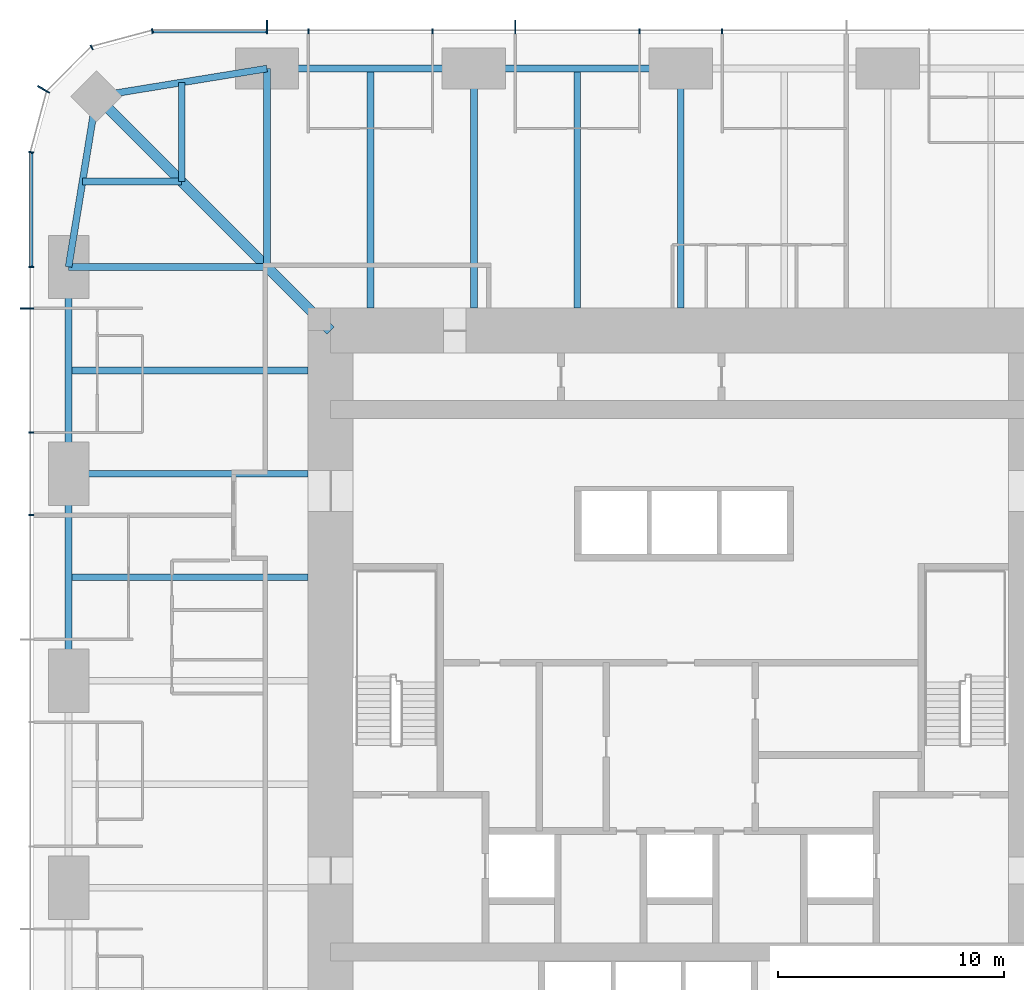
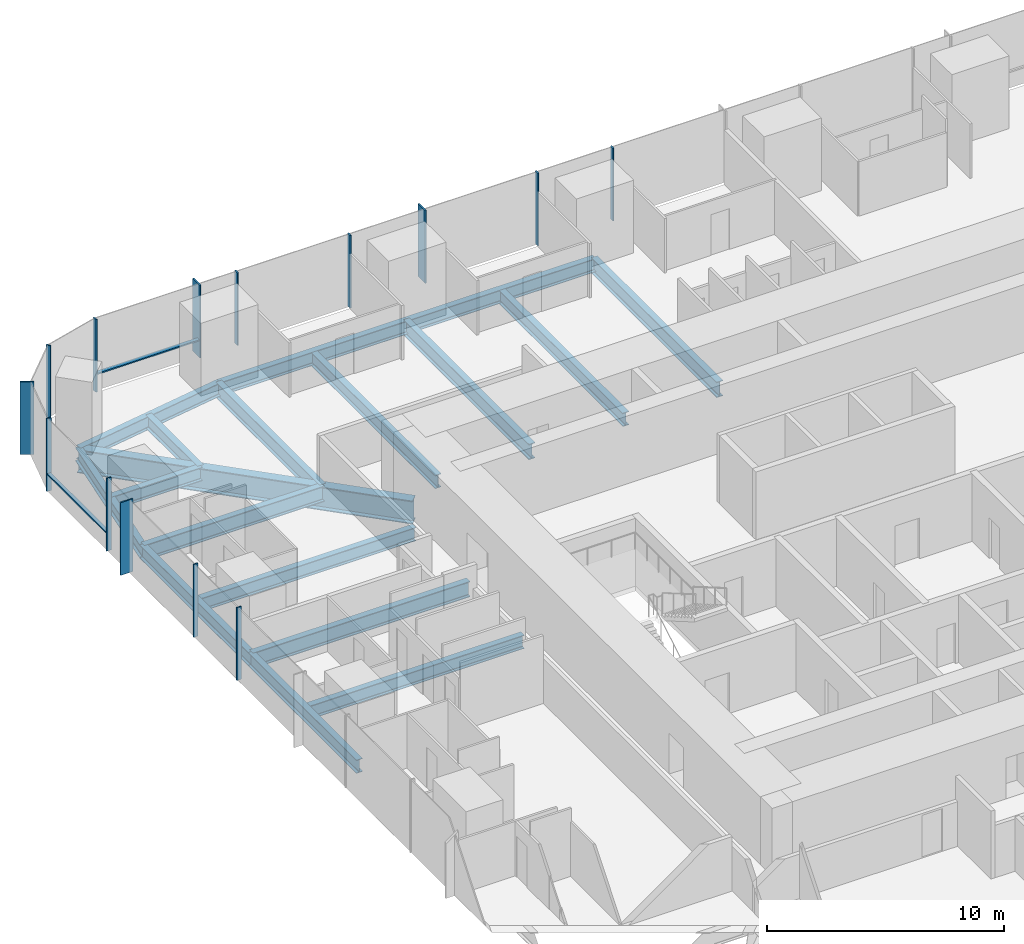
# One storey, part 5 of 13: 18 beams, 16 members, 3 elements without a shape of their own.
"""IFC4 building model written with IfcOpenShell, lengths in metres."""

from ifc_helpers import new_model, si_unit, direction, frame, origin, origin_2d, place, context, subcontext, project, spatial, rectangle, i_section, extrude, material, material_profile, profile_set, type_object, element, aggregate, save


model = new_model("IFC4")

# Units and contexts
model_context = context("Model", 3, precision=1e-05, world=origin(), true_north=direction((0.0, 1.0)))
body_context = subcontext(model_context, "Body", "Model", "MODEL_VIEW")
ifc_project = project(units=[si_unit("LENGTHUNIT", "METRE"), si_unit("AREAUNIT", "SQUARE_METRE"), si_unit("VOLUMEUNIT", "CUBIC_METRE"), si_unit("PLANEANGLEUNIT", "RADIAN"), si_unit("MASSUNIT", "GRAM", prefix="KILO")], contexts=[model_context])

# Site, building, storey
site_placement = place(None, origin())
site = spatial("IfcSite", under=ifc_project, at=site_placement, CompositionType="ELEMENT")
building_placement = place(site_placement, origin())
building = spatial("IfcBuilding", under=site, at=building_placement, Name="Khuree Lantern Residences", CompositionType="ELEMENT")
storey_placement = place(building_placement, frame((0.0, 0.0, 144.75)))
storey = spatial("IfcBuildingStorey", under=building, at=storey_placement, Name="L36", CompositionType="ELEMENT", Elevation=144.75)

# Beams
ifc_material_1 = material(Name="Steel S355", Category="steel")
ifc_material_profile_1 = material_profile(ifc_material_1, i_section(OverallWidth=0.300048828125, OverallDepth=0.68994140625, WebThickness=0.014404296875, FlangeThickness=0.027099609375, FilletRadius=0.027099609375, at=origin_2d()), Name="HE 700 A")
ifc_profile_set_1 = profile_set([ifc_material_profile_1], Name="Steel S355")
beam_type_1 = type_object("IfcBeamType", Name="B-23 SECONDARY BEAM HE 700 A", PredefinedType="BEAM", material=ifc_profile_set_1)
for number, where, z_axis, x_axis, name in (
    (1, (-13.739990234375, 27.10009765625, -0.594970703125), (0.0, -1.0, 0.0), (1.0, 0.0, 0.0), "Secondary beam N1"),
    (2, (-4.580078125, 27.10009765625, -0.594970703125), (0.0, -1.0, 0.0), (1.0, 0.0, 0.0), "Secondary beam N2"),
    (3, (-27.10009765625, 4.580078125, -0.594970703125), (1.0, 0.0, 0.0), (0.0, 1.0, 0.0), "Secondary beam W4"),
    (4, (-27.10009765625, 13.739990234375, -0.594970703125), (1.0, 0.0, 0.0), (0.0, 1.0, 0.0), "Secondary beam W5"),
):
    element("IfcBeam", number, at=place(storey_placement, frame(where, z_axis=z_axis, x_axis=x_axis)), inside=storey, type_object=beam_type_1, Name=name, PredefinedType="BEAM", context=body_context, shape_type="SweptSolid", body=[
        extrude(i_section(OverallWidth=0.300048828125, OverallDepth=0.68994140625, WebThickness=0.014404296875, FlangeThickness=0.027099609375, FilletRadius=0.027099609375, at=origin_2d()), origin(), (0.0, 0.0, 1.0), 10.60009765625),
    ])
for number, where, z_axis, x_axis, name in (
    (5, (-26.48486328125, 22.094970703125, -0.594970703125), (1.0, 0.0, 0.0), (0.0, 1.0, 0.0), "Secondary beam W6"),
    (6, (-22.094970703125, 26.48486328125, -0.594970703125), (0.0, -1.0, 0.0), (1.0, 0.0, 0.0), "Secondary beam N6"),
):
    element("IfcBeam", number, at=place(storey_placement, frame(where, z_axis=z_axis, x_axis=x_axis)), inside=storey, type_object=beam_type_1, Name=name, PredefinedType="BEAM", context=body_context, shape_type="SweptSolid", body=[
        extrude(i_section(OverallWidth=0.300048828125, OverallDepth=0.68994140625, WebThickness=0.014404296875, FlangeThickness=0.027099609375, FilletRadius=0.027099609375, at=origin_2d()), origin(), (0.0, 0.0, 1.0), 4.389892578125),
    ])
ifc_material_profile_2 = material_profile(ifc_material_1, i_section(OverallWidth=0.300048828125, OverallDepth=0.68994140625, WebThickness=0.014404296875, FlangeThickness=0.027099609375, FilletRadius=0.027099609375, at=origin_2d()), Name="HE 700 A")
ifc_profile_set_2 = profile_set([ifc_material_profile_2], Name="Steel S355")
beam_type_2 = type_object("IfcBeamType", Name="E-23 SPANDREL BEAM HE 700 A", PredefinedType="SPANDREL", material=ifc_profile_set_2)
beam_1_placement = place(storey_placement, frame((-18.320068359375, 27.10009765625, -0.594970703125), z_axis=(1.0, 0.0, 0.0), x_axis=(0.0, 1.0, 0.0)))
element("IfcBeam", 7, at=beam_1_placement, inside=storey, type_object=beam_type_2, Name="Spandrel beam N1", PredefinedType="SPANDREL", context=body_context, shape_type="SweptSolid", body=[
    extrude(i_section(OverallWidth=0.300048828125, OverallDepth=0.68994140625, WebThickness=0.014404296875, FlangeThickness=0.027099609375, FilletRadius=0.027099609375, at=origin_2d()), origin(), (0.0, 0.0, 1.0), 9.16015625),
])
for number, where, z_axis, x_axis, name in (
    (8, (-9.159912109375, 27.10009765625, -0.594970703125), (1.0, 0.0, 0.0), (0.0, 1.0, 0.0), "Spandrel beam N2"),
    (9, (-27.10009765625, 0.0, -0.594970703125), (0.0, 1.0, 0.0), (-1.0, 0.0, 0.0), "Spandrel beam W4"),
):
    element("IfcBeam", number, at=place(storey_placement, frame(where, z_axis=z_axis, x_axis=x_axis)), inside=storey, type_object=beam_type_2, Name=name, PredefinedType="SPANDREL", context=body_context, shape_type="SweptSolid", body=[
        extrude(i_section(OverallWidth=0.300048828125, OverallDepth=0.68994140625, WebThickness=0.014404296875, FlangeThickness=0.027099609375, FilletRadius=0.027099609375, at=origin_2d()), origin(), (0.0, 0.0, 1.0), 9.159912109375),
    ])
beam_2_placement = place(storey_placement, frame((-27.10009765625, 9.159912109375, -0.594970703125), z_axis=(0.0, 1.0, 0.0), x_axis=(-1.0, 0.0, 0.0)))
element("IfcBeam", 10, at=beam_2_placement, inside=storey, type_object=beam_type_2, Name="Spandrel beam W5", PredefinedType="SPANDREL", context=body_context, shape_type="SweptSolid", body=[
    extrude(i_section(OverallWidth=0.300048828125, OverallDepth=0.68994140625, WebThickness=0.014404296875, FlangeThickness=0.027099609375, FilletRadius=0.027099609375, at=origin_2d()), origin(), (0.0, 0.0, 1.0), 9.16015625),
])
for number, where, z_axis, x_axis, name in (
    (11, (-27.10009765625, 18.320068359375, -0.594970703125), (0.160826723833, 0.986982656839, 0.0), (-0.986982656839, 0.160826723833, 0.0), "Spandrel beam W6"),
    (12, (-25.869873046875, 25.869873046875, -0.594970703125), (0.986982656839, 0.160826723833, 0.0), (-0.160826723833, 0.986982656839, 0.0), "Spandrel beam N6"),
):
    element("IfcBeam", number, at=place(storey_placement, frame(where, z_axis=z_axis, x_axis=x_axis)), inside=storey, type_object=beam_type_2, Name=name, PredefinedType="SPANDREL", context=body_context, shape_type="SweptSolid", body=[
        extrude(i_section(OverallWidth=0.300048828125, OverallDepth=0.68994140625, WebThickness=0.014404296875, FlangeThickness=0.027099609375, FilletRadius=0.027099609375, at=origin_2d()), origin(), (0.0, 0.0, 1.0), 7.6494140625),
    ])

# Curtain wall, members
ifc_material_2 = material(Name="Bronze anodised aluminium", Category="aluminium")
curtain_wall_type_1 = type_object("IfcCurtainWallType", Name="CW-T1 TOWER FACE CURTAIN WALL", PredefinedType="USERDEFINED", material=ifc_material_2)
curtain_wall_1_placement = place(storey_placement, origin())
curtain_wall_1 = element("IfcCurtainWall", 13, at=curtain_wall_1_placement, inside=storey, type_object=curtain_wall_type_1, Name="L36 NORTH FACE CURTAIN WALL", ObjectType="Stick-built curtain wall", PredefinedType="USERDEFINED")
ifc_material_profile_3 = material_profile(ifc_material_2, rectangle(XDim=0.06494140625, YDim=0.60009765625, at=origin_2d()), Name="F1 65X600")
ifc_profile_set_3 = profile_set([ifc_material_profile_3], Name="Bronze anodised aluminium")
member_type_1 = type_object("IfcMemberType", Name="F1 BRONZE FIN MULLION TOWER 65X600", PredefinedType="MULLION", material=ifc_profile_set_3)
member_1_placement = place(storey_placement, frame((-7.327880859375, 28.949951171875, 0.0), z_axis=(0.0, 0.0, 1.0), x_axis=(-1.0, 0.0, 0.0)))
member_1 = element("IfcMember", 14, at=member_1_placement, type_object=member_type_1, Name="L36 NORTH FACE FIN MULLION 25", PredefinedType="MULLION", context=body_context, shape_type="SweptSolid", body=[
    extrude(rectangle(XDim=0.06494140625, YDim=0.60009765625, at=origin_2d()), origin(), (0.0, 0.0, 1.0), 3.75),
])
member_2_placement = place(storey_placement, frame((-18.320068359375, 28.949951171875, 0.0), z_axis=(0.0, 0.0, 1.0), x_axis=(-1.0, 0.0, 0.0)))
member_2 = element("IfcMember", 15, at=member_2_placement, type_object=member_type_1, Name="L36 NORTH FACE FIN MULLION 28", PredefinedType="MULLION", context=body_context, shape_type="SweptSolid", body=[
    extrude(rectangle(XDim=0.06494140625, YDim=0.60009765625, at=origin_2d()), origin(), (0.0, 0.0, 1.0), 3.75),
])

# Curtain wall, member
curtain_wall_type_2 = type_object("IfcCurtainWallType", Name="CW-T2 TOWER CORNER CURTAIN WALL", PredefinedType="USERDEFINED", material=ifc_material_2)
curtain_wall_2_placement = place(storey_placement, origin())
curtain_wall_2 = element("IfcCurtainWall", 16, at=curtain_wall_2_placement, inside=storey, type_object=curtain_wall_type_2, Name="L36 NORTH-WEST CORNER CURTAIN WALL", ObjectType="Faceted corner curtain wall", PredefinedType="USERDEFINED")
member_3_placement = place(storey_placement, frame((-28.20654296875, 26.175048828125, 0.0), z_axis=(0.0, 0.0, 1.0), x_axis=(-0.500000026995, -0.866025388199, 0.0)))
member_3 = element("IfcMember", 17, at=member_3_placement, type_object=member_type_1, Name="L36 NORTH-WEST CORNER FIN MULLION 31", PredefinedType="MULLION", context=body_context, shape_type="SweptSolid", body=[
    extrude(rectangle(XDim=0.06494140625, YDim=0.60009765625, at=origin_2d()), origin(), (0.0, 0.0, 1.0), 3.75),
])

curtain_wall_3_placement = place(storey_placement, origin())
curtain_wall_3 = element("IfcCurtainWall", 18, at=curtain_wall_3_placement, inside=storey, type_object=curtain_wall_type_1, Name="L36 WEST FACE CURTAIN WALL", ObjectType="Stick-built curtain wall", PredefinedType="USERDEFINED")
member_4_placement = place(storey_placement, frame((-28.949951171875, 16.488037109375, 0.0), z_axis=(0.0, 0.0, 1.0), x_axis=(0.0, -1.0, 0.0)))
member_4 = element("IfcMember", 19, at=member_4_placement, type_object=member_type_1, Name="L36 WEST FACE FIN MULLION 34", PredefinedType="MULLION", context=body_context, shape_type="SweptSolid", body=[
    extrude(rectangle(XDim=0.06494140625, YDim=0.60009765625, at=origin_2d()), origin(), (0.0, 0.0, 1.0), 3.75),
])

# Beams
ifc_material_profile_4 = material_profile(ifc_material_1, i_section(OverallWidth=0.300048828125, OverallDepth=0.800048828125, WebThickness=0.017578125, FlangeThickness=0.032958984375, FilletRadius=0.030029296875, at=origin_2d()), Name="HE 800 B")
ifc_profile_set_4 = profile_set([ifc_material_profile_4], Name="Steel S355")
beam_type_3 = type_object("IfcBeamType", Name="G-23 GIRDER HE 800 B", PredefinedType="BEAM", material=ifc_profile_set_4)
beam_3_placement = place(storey_placement, frame((-18.320068359375, 27.10009765625, -0.64990234375), z_axis=(0.0, -1.0, 0.0), x_axis=(1.0, 0.0, 0.0)))
element("IfcBeam", 20, at=beam_3_placement, inside=storey, type_object=beam_type_3, Name="Girder N1", PredefinedType="BEAM", context=body_context, shape_type="SweptSolid", body=[
    extrude(i_section(OverallWidth=0.300048828125, OverallDepth=0.800048828125, WebThickness=0.017578125, FlangeThickness=0.032958984375, FilletRadius=0.030029296875, at=origin_2d()), origin(), (0.0, 0.0, 1.0), 8.780029296875),
])
for number, where, z_axis, x_axis, name in (
    (21, (-9.159912109375, 27.10009765625, -0.64990234375), (0.0, -1.0, 0.0), (1.0, 0.0, 0.0), "Girder N2"),
    (22, (0.0, 27.10009765625, -0.64990234375), (0.0, -1.0, 0.0), (1.0, 0.0, 0.0), "Girder N3"),
    (23, (-27.10009765625, 9.159912109375, -0.64990234375), (1.0, 0.0, 0.0), (0.0, 1.0, 0.0), "Girder W4"),
):
    element("IfcBeam", number, at=place(storey_placement, frame(where, z_axis=z_axis, x_axis=x_axis)), inside=storey, type_object=beam_type_3, Name=name, PredefinedType="BEAM", context=body_context, shape_type="SweptSolid", body=[
        extrude(i_section(OverallWidth=0.300048828125, OverallDepth=0.800048828125, WebThickness=0.017578125, FlangeThickness=0.032958984375, FilletRadius=0.030029296875, at=origin_2d()), origin(), (0.0, 0.0, 1.0), 10.60009765625),
    ])
beam_4_placement = place(storey_placement, frame((-27.10009765625, 18.320068359375, -0.64990234375), z_axis=(1.0, 0.0, 0.0), x_axis=(0.0, 1.0, 0.0)))
element("IfcBeam", 24, at=beam_4_placement, inside=storey, type_object=beam_type_3, Name="Girder W5", PredefinedType="BEAM", context=body_context, shape_type="SweptSolid", body=[
    extrude(i_section(OverallWidth=0.300048828125, OverallDepth=0.800048828125, WebThickness=0.017578125, FlangeThickness=0.032958984375, FilletRadius=0.030029296875, at=origin_2d()), origin(), (0.0, 0.0, 1.0), 8.780029296875),
])
ifc_material_profile_5 = material_profile(ifc_material_1, i_section(OverallWidth=0.449951171875, OverallDepth=1.199951171875, WebThickness=0.02490234375, FlangeThickness=0.044921875, at=origin_2d()), Name="WELDED I 1200X450X25X45")
ifc_profile_set_5 = profile_set([ifc_material_profile_5], Name="Steel S355")
beam_type_4 = type_object("IfcBeamType", Name="GD-23 CORNER GIRDER WELDED I 1200X450X25X45", PredefinedType="BEAM", material=ifc_profile_set_5)
beam_5_placement = place(storey_placement, frame((-25.869873046875, 25.869873046875, -0.85009765625), z_axis=(0.707106781187, -0.707106781187, 0.0), x_axis=(0.707106781187, 0.707106781187, 0.0)))
element("IfcBeam", 25, at=beam_5_placement, inside=storey, type_object=beam_type_4, Name="Corner girder NW", PredefinedType="BEAM", context=body_context, shape_type="SweptSolid", body=[
    extrude(i_section(OverallWidth=0.449951171875, OverallDepth=1.199951171875, WebThickness=0.02490234375, FlangeThickness=0.044921875, at=origin_2d()), origin(), (0.0, 0.0, 1.0), 14.665283203125),
])

# Member
ifc_material_profile_6 = material_profile(ifc_material_2, rectangle(XDim=0.06494140625, YDim=0.219970703125, at=origin_2d()), Name="M1 65X220")
ifc_profile_set_6 = profile_set([ifc_material_profile_6], Name="Bronze anodised aluminium")
member_type_2 = type_object("IfcMemberType", Name="M1 BRONZE MULLION TOWER 65X220", PredefinedType="MULLION", material=ifc_profile_set_6)
member_5_placement = place(storey_placement, frame((1.83203125, 28.760009765625, 0.0), z_axis=(0.0, 0.0, 1.0), x_axis=(-1.0, 0.0, 0.0)))
member_5 = element("IfcMember", 26, at=member_5_placement, type_object=member_type_2, Name="L36 NORTH FACE MULLION 23", PredefinedType="MULLION", context=body_context, shape_type="SweptSolid", body=[
    extrude(rectangle(XDim=0.06494140625, YDim=0.219970703125, at=origin_2d()), origin(), (0.0, 0.0, 1.0), 3.75),
])

member_6_placement = place(storey_placement, frame((-1.83203125, 28.760009765625, 0.0), z_axis=(0.0, 0.0, 1.0), x_axis=(-1.0, 0.0, 0.0)))
member_6 = element("IfcMember", 27, at=member_6_placement, type_object=member_type_2, Name="L36 NORTH FACE MULLION 24", PredefinedType="MULLION", context=body_context, shape_type="SweptSolid", body=[
    extrude(rectangle(XDim=0.06494140625, YDim=0.219970703125, at=origin_2d()), origin(), (0.0, 0.0, 1.0), 3.75),
])

member_7_placement = place(storey_placement, frame((-10.991943359375, 28.760009765625, 0.0), z_axis=(0.0, 0.0, 1.0), x_axis=(-1.0, 0.0, 0.0)))
member_7 = element("IfcMember", 28, at=member_7_placement, type_object=member_type_2, Name="L36 NORTH FACE MULLION 26", PredefinedType="MULLION", context=body_context, shape_type="SweptSolid", body=[
    extrude(rectangle(XDim=0.06494140625, YDim=0.219970703125, at=origin_2d()), origin(), (0.0, 0.0, 1.0), 3.75),
])

member_8_placement = place(storey_placement, frame((-16.488037109375, 28.760009765625, 0.0), z_axis=(0.0, 0.0, 1.0), x_axis=(-1.0, 0.0, 0.0)))
member_8 = element("IfcMember", 29, at=member_8_placement, type_object=member_type_2, Name="L36 NORTH FACE MULLION 27", PredefinedType="MULLION", context=body_context, shape_type="SweptSolid", body=[
    extrude(rectangle(XDim=0.06494140625, YDim=0.219970703125, at=origin_2d()), origin(), (0.0, 0.0, 1.0), 3.75),
])

member_9_placement = place(storey_placement, frame((-23.39501953125, 28.76171875, 0.0), z_axis=(0.0, 0.0, 1.0), x_axis=(-0.991444857305, -0.130526223125, 0.0)))
member_9 = element("IfcMember", 30, at=member_9_placement, type_object=member_type_2, Name="L36 NORTH-WEST CORNER MULLION 29", PredefinedType="MULLION", context=body_context, shape_type="SweptSolid", body=[
    extrude(rectangle(XDim=0.06494140625, YDim=0.219970703125, at=origin_2d()), origin(), (0.0, 0.0, 1.0), 3.75),
])

member_10_placement = place(storey_placement, frame((-26.080078125, 28.0419921875, 0.0), z_axis=(0.0, 0.0, 1.0), x_axis=(-0.866025388199, -0.500000026995, 0.0)))
member_10 = element("IfcMember", 31, at=member_10_placement, type_object=member_type_2, Name="L36 NORTH-WEST CORNER MULLION 30", PredefinedType="MULLION", context=body_context, shape_type="SweptSolid", body=[
    extrude(rectangle(XDim=0.06494140625, YDim=0.219970703125, at=origin_2d()), origin(), (0.0, 0.0, 1.0), 3.75),
])

aggregate(curtain_wall_2, [member_9, member_10, member_3])

member_11_placement = place(storey_placement, frame((-28.76171875, 23.39501953125, 0.0), z_axis=(0.0, 0.0, 1.0), x_axis=(-0.130526223125, -0.991444857305, 0.0)))
member_11 = element("IfcMember", 32, at=member_11_placement, type_object=member_type_2, Name="L36 WEST FACE MULLION 32", PredefinedType="MULLION", context=body_context, shape_type="SweptSolid", body=[
    extrude(rectangle(XDim=0.06494140625, YDim=0.219970703125, at=origin_2d()), origin(), (0.0, 0.0, 1.0), 3.75),
])

member_12_placement = place(storey_placement, frame((-28.760009765625, 18.320068359375, 0.0), z_axis=(0.0, 0.0, 1.0), x_axis=(0.0, -1.0, 0.0)))
member_12 = element("IfcMember", 33, at=member_12_placement, type_object=member_type_2, Name="L36 WEST FACE MULLION 33", PredefinedType="MULLION", context=body_context, shape_type="SweptSolid", body=[
    extrude(rectangle(XDim=0.06494140625, YDim=0.219970703125, at=origin_2d()), origin(), (0.0, 0.0, 1.0), 3.75),
])

member_13_placement = place(storey_placement, frame((-28.760009765625, 10.991943359375, 0.0), z_axis=(0.0, 0.0, 1.0), x_axis=(0.0, -1.0, 0.0)))
member_13 = element("IfcMember", 34, at=member_13_placement, type_object=member_type_2, Name="L36 WEST FACE MULLION 35", PredefinedType="MULLION", context=body_context, shape_type="SweptSolid", body=[
    extrude(rectangle(XDim=0.06494140625, YDim=0.219970703125, at=origin_2d()), origin(), (0.0, 0.0, 1.0), 3.75),
])

member_14_placement = place(storey_placement, frame((-28.760009765625, 7.327880859375, 0.0), z_axis=(0.0, 0.0, 1.0), x_axis=(0.0, -1.0, 0.0)))
member_14 = element("IfcMember", 35, at=member_14_placement, type_object=member_type_2, Name="L36 WEST FACE MULLION 36", PredefinedType="MULLION", context=body_context, shape_type="SweptSolid", body=[
    extrude(rectangle(XDim=0.06494140625, YDim=0.219970703125, at=origin_2d()), origin(), (0.0, 0.0, 1.0), 3.75),
])

ifc_material_profile_7 = material_profile(ifc_material_2, rectangle(XDim=0.179931640625, YDim=0.06494140625, at=origin_2d()), Name="T1 180X65")
ifc_profile_set_7 = profile_set([ifc_material_profile_7], Name="Bronze anodised aluminium")
member_type_3 = type_object("IfcMemberType", Name="TRANSOM T1 TOWER 180X65", PredefinedType="USERDEFINED", material=ifc_profile_set_7)
member_15_placement = place(storey_placement, frame((-18.3525390625, 28.77001953125, 0.89990234375), z_axis=(-1.0, 0.0, 0.0), x_axis=(0.0, -1.0, 0.0)))
member_15 = element("IfcMember", 36, at=member_15_placement, type_object=member_type_3, Name="L36 NORTH FACE TRANSOM 28.1", ObjectType="Transom", PredefinedType="USERDEFINED", context=body_context, shape_type="SweptSolid", body=[
    extrude(rectangle(XDim=0.179931640625, YDim=0.06494140625, at=origin_2d()), origin(), (0.0, 0.0, 1.0), 4.998779296875),
])

aggregate(curtain_wall_1, [member_5, member_6, member_1, member_7, member_8, member_2, member_15])

member_16_placement = place(storey_placement, frame((-28.77001953125, 23.351318359375, 0.89990234375), z_axis=(0.0, -1.0, 0.0), x_axis=(1.0, 0.0, 0.0)))
member_16 = element("IfcMember", 37, at=member_16_placement, type_object=member_type_3, Name="L36 WEST FACE TRANSOM 32.1", ObjectType="Transom", PredefinedType="USERDEFINED", context=body_context, shape_type="SweptSolid", body=[
    extrude(rectangle(XDim=0.179931640625, YDim=0.06494140625, at=origin_2d()), origin(), (0.0, 0.0, 1.0), 4.998779296875),
])

aggregate(curtain_wall_3, [member_11, member_12, member_4, member_13, member_14, member_16])

save(model, "model.ifc")
